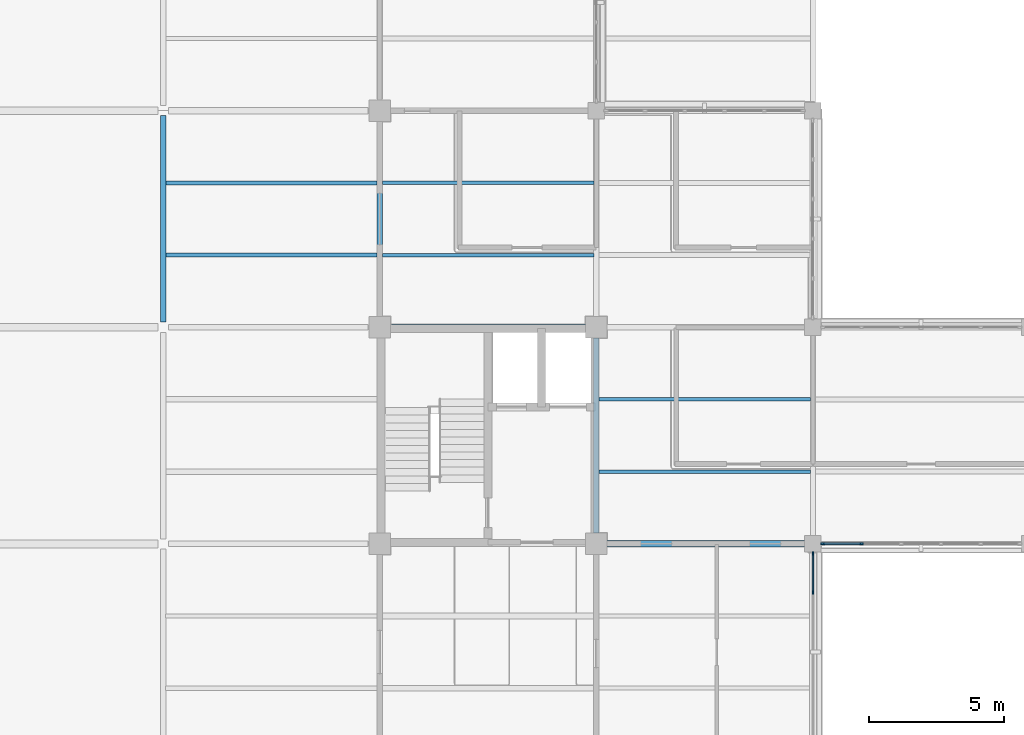
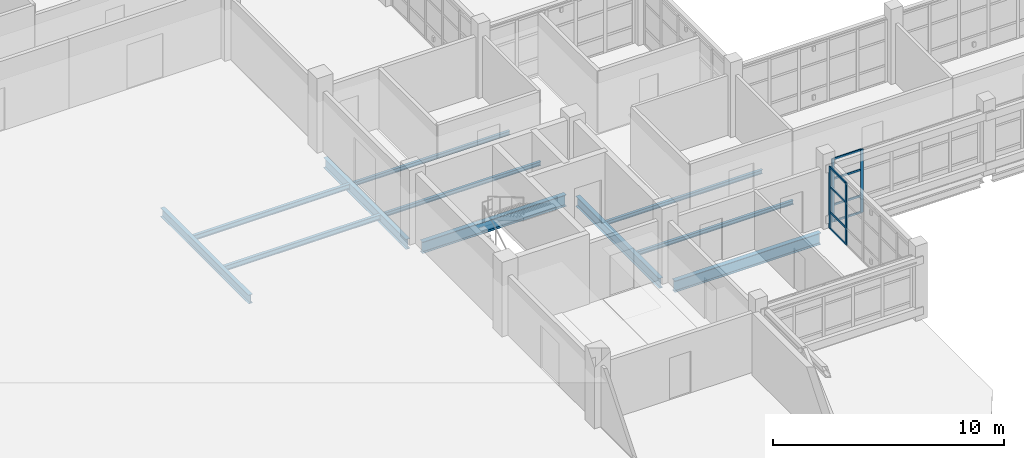
# One storey, part 29 of 126: 12 members, 11 beams, 2 elements without a shape of their own.
"""IFC4 building model written with IfcOpenShell, lengths in metres."""

import ifcopenshell
import ifcopenshell.guid

model = None  # the IFC model being written
_history = None  # IfcOwnerHistory: only IFC2X3 demands one
_inside = {}  # id of a spatial element -> (the spatial element, [elements in it])
_under = {}  # id of a project, library or spatial element -> (it, [spatial elements below it])
_declared = {}  # id of a project -> (the project, [libraries it declares])
_typed = {}  # id of a type object -> (the type object, [elements of that type])
_made_of = {}  # id of a material, layer set ... -> (it, [elements and type objects made of it])


def new_model(schema):
    """Start an empty IFC model of exactly this schema.

    Asked for "IFC4X3", IfcOpenShell would pick the latest addendum, in which some entities
    have other attributes; the version numbers below select the first issue.
    IFC2X3 requires an IfcOwnerHistory on every rooted entity: one is made here for all.
    """
    global model, _history
    if schema == "IFC4X3":
        model = ifcopenshell.file(schema_version=(4, 3, 0, 0))
    else:
        model = ifcopenshell.file(schema=schema)
    _inside.clear()
    _under.clear()
    _declared.clear()
    _typed.clear()
    _made_of.clear()
    _history = None
    if model.schema == "IFC2X3":
        org = make("IfcOrganization", Name="unknown")
        user = make(
            "IfcPersonAndOrganization",
            ThePerson=make("IfcPerson", FamilyName="unknown"),
            TheOrganization=org,
        )
        app = make(
            "IfcApplication",
            ApplicationDeveloper=org,
            Version="unknown",
            ApplicationFullName="unknown",
            ApplicationIdentifier="unknown",
        )
        _history = make(
            "IfcOwnerHistory",
            OwningUser=user,
            OwningApplication=app,
            ChangeAction="ADDED",
            CreationDate=0,
        )
    return model


def make(cls, **values):
    """One entity of the class cls with the attributes given. An attribute that is None is left unset."""
    return model.create_entity(
        cls, **{name: value for name, value in values.items() if value is not None}
    )


def rooted(cls, **values):
    """An entity with a GlobalId (a new one), such as an element, a storey or a relation."""
    return make(cls, GlobalId=ifcopenshell.guid.new(), OwnerHistory=_history, **values)


def si_unit(unit_type, name, prefix=None):
    """IfcSIUnit, for example si_unit("LENGTHUNIT", "METRE", prefix="MILLI")."""
    return make("IfcSIUnit", UnitType=unit_type, Prefix=prefix, Name=name)


def derived_unit(unit_type, elements):
    """IfcDerivedUnit: a product of units, each with its exponent."""
    return make(
        "IfcDerivedUnit",
        Elements=[
            make("IfcDerivedUnitElement", Unit=unit, Exponent=power)
            for unit, power in elements
        ],
        UnitType=unit_type,
    )


def assignment(units):
    """IfcUnitAssignment: the units of a project."""
    return None if units is None else make("IfcUnitAssignment", Units=units)


def point(xyz):
    """IfcCartesianPoint."""
    return None if xyz is None else make("IfcCartesianPoint", Coordinates=xyz)


def direction(xyz):
    """IfcDirection."""
    return None if xyz is None else make("IfcDirection", DirectionRatios=xyz)


def frame(location, z_axis=None, x_axis=None):
    """IfcAxis2Placement3D, a coordinate frame: its origin and axes. An axis left out is left unset."""
    return make(
        "IfcAxis2Placement3D",
        Location=point(location),
        Axis=direction(z_axis),
        RefDirection=direction(x_axis),
    )


def frame_2d(location, x_axis=None):
    """IfcAxis2Placement2D, a coordinate frame in the plane: its origin and x axis."""
    return make(
        "IfcAxis2Placement2D", Location=point(location), RefDirection=direction(x_axis)
    )


def origin():
    """The frame at (0, 0, 0) with its axes left unset."""
    return frame((0.0, 0.0, 0.0))


def origin_2d():
    """The frame at (0, 0) in the plane with its x axis left unset."""
    return frame_2d((0.0, 0.0))


def place(relative_to, where):
    """IfcLocalPlacement: puts the frame where relative to a parent placement (None: the world)."""
    return make(
        "IfcLocalPlacement", PlacementRelTo=relative_to, RelativePlacement=where
    )


def context(
    kind, dimensions, precision=None, world=None, true_north=None, identifier=None
):
    """IfcGeometricRepresentationContext, for example the 3D "Model" context."""
    return make(
        "IfcGeometricRepresentationContext",
        ContextIdentifier=identifier,
        ContextType=kind,
        CoordinateSpaceDimension=dimensions,
        Precision=precision,
        WorldCoordinateSystem=world,
        TrueNorth=true_north,
    )


def subcontext(parent, identifier, kind, view, scale=None):
    """IfcGeometricRepresentationSubContext, for example "Body" below "Model"."""
    return make(
        "IfcGeometricRepresentationSubContext",
        ContextIdentifier=identifier,
        ContextType=kind,
        ParentContext=parent,
        TargetScale=scale,
        TargetView=view,
    )


def project(units=None, contexts=None):
    """IfcProject with its units and contexts."""
    return rooted(
        "IfcProject",
        Name="project",
        RepresentationContexts=contexts,
        UnitsInContext=assignment(units),
    )


def spatial(cls, under=None, at=None, **own):
    """A site, building, storey or space (cls), placed at a placement, below another one or the project."""
    s = rooted(cls, ObjectPlacement=at, **own)
    if under is not None:
        _under.setdefault(under.id(), (under, []))[1].append(s)
    return s


def profile(cls, at=None, kind="AREA", **sizes):
    """A parametric profile (cls). Its sizes go by their IFC names, for example OverallWidth=200.0."""
    return make(cls, ProfileType=kind, Position=at, **sizes)


def rectangle(**sizes):
    """IfcRectangleProfileDef."""
    return profile("IfcRectangleProfileDef", **sizes)


def i_section(**sizes):
    """IfcIShapeProfileDef."""
    return profile("IfcIShapeProfileDef", **sizes)


def extrude(swept, where, along, depth):
    """IfcExtrudedAreaSolid: the profile swept, set in the frame where, extruded along a direction by depth."""
    return make(
        "IfcExtrudedAreaSolid",
        SweptArea=swept,
        Position=where,
        ExtrudedDirection=direction(along),
        Depth=depth,
    )


def shape(context_of_items, identifier, shape_type, items):
    """IfcShapeRepresentation: the items that make up one representation, for example the "Body"."""
    return make(
        "IfcShapeRepresentation",
        ContextOfItems=context_of_items,
        RepresentationIdentifier=identifier,
        RepresentationType=shape_type,
        Items=items,
    )


def material(Name=None, Category=None):
    """IfcMaterial."""
    return make("IfcMaterial", Name=Name, Category=Category)


def layer(
    of_material, thickness, ventilated=None, Name=None, Category=None, Priority=None
):
    """IfcMaterialLayer: one layer of a wall or slab, of a material (None: an air gap)."""
    return make(
        "IfcMaterialLayer",
        Material=of_material,
        LayerThickness=thickness,
        IsVentilated=ventilated,
        Name=Name,
        Category=Category,
        Priority=Priority,
    )


def layer_set(layers, Name=None):
    """IfcMaterialLayerSet."""
    return make("IfcMaterialLayerSet", MaterialLayers=layers, LayerSetName=Name)


def material_profile(
    of_material, cross_section, Name=None, Category=None, Priority=None
):
    """IfcMaterialProfile: a cross section and its material."""
    return make(
        "IfcMaterialProfile",
        Name=Name,
        Material=of_material,
        Profile=cross_section,
        Priority=Priority,
        Category=Category,
    )


def profile_set(profiles, Name=None, composite=None):
    """IfcMaterialProfileSet."""
    return make(
        "IfcMaterialProfileSet",
        Name=Name,
        MaterialProfiles=profiles,
        CompositeProfile=composite,
    )


def made_of(thing, what):
    """Note that an element or type object is made of a material, layer set ...; save() writes the relation."""
    if what is not None:
        _made_of.setdefault(what.id(), (what, []))[1].append(thing)
    return thing


def type_object(cls, material=None, **own):
    """A type object (cls), such as IfcWallType, which elements share."""
    return made_of(rooted(cls, **own), material)


def element(
    cls,
    number,
    at=None,
    inside=None,
    cuts=None,
    type_object=None,
    material=None,
    context=None,
    identifier="Body",
    shape_type=None,
    held_by="IfcProductDefinitionShape",
    body=None,
    shapes=None,
    **own,
):
    """One element of the class cls, such as IfcWall. Its Tag is "e" and its number.

    at: its placement. inside: the storey or other place that contains it. cuts: it is an
    opening in that element (IfcRelVoidsElement). A single representation is given by context,
    identifier, shape_type and body (its items); several are given by shapes. held_by: the class
    of the entity that holds the representations. save() writes the other relations.
    """
    e = rooted(cls, Tag="e%d" % number, ObjectPlacement=at, **own)
    if body is not None:
        shapes = [shape(context, identifier, shape_type, body)]
    if shapes is not None:
        e.Representation = make(held_by, Representations=shapes)
    if inside is not None:
        _inside.setdefault(inside.id(), (inside, []))[1].append(e)
    if cuts is not None:
        rooted(
            "IfcRelVoidsElement", RelatingBuildingElement=cuts, RelatedOpeningElement=e
        )
    if type_object is not None:
        _typed.setdefault(type_object.id(), (type_object, []))[1].append(e)
    return made_of(e, material)


def aggregate(whole, parts):
    """IfcRelAggregates: a whole, such as a stair, and the parts it consists of."""
    return rooted("IfcRelAggregates", RelatingObject=whole, RelatedObjects=parts)


def save(model, path):
    """Write the relations noted so far, then the file.

    IfcRelAggregates (storeys below a building ...), IfcRelContainedInSpatialStructure (elements
    in a storey), IfcRelDefinesByType, IfcRelAssociatesMaterial and IfcRelDeclares: one each for
    every whole, place, type object, material and project.
    """
    for whole, parts in _under.values():
        aggregate(whole, parts)
    for where, things in _inside.values():
        rooted(
            "IfcRelContainedInSpatialStructure",
            RelatedElements=things,
            RelatingStructure=where,
        )
    for kind, things in _typed.values():
        rooted("IfcRelDefinesByType", RelatedObjects=things, RelatingType=kind)
    for what, things in _made_of.values():
        rooted("IfcRelAssociatesMaterial", RelatedObjects=things, RelatingMaterial=what)
    for by, libraries in _declared.values():
        rooted("IfcRelDeclares", RelatingContext=by, RelatedDefinitions=libraries)
    model.write(path)


model = new_model("IFC4")

# Units and contexts
model_context = context("Model", 3, precision=1e-05, world=origin(), true_north=direction((0.0, 1.0)))
body_context = subcontext(model_context, "Body", "Model", "MODEL_VIEW")
ifc_project = project(units=[si_unit("LENGTHUNIT", "METRE"), si_unit("AREAUNIT", "SQUARE_METRE"), si_unit("VOLUMEUNIT", "CUBIC_METRE"), si_unit("PLANEANGLEUNIT", "RADIAN"), si_unit("MASSUNIT", "GRAM", prefix="KILO"), derived_unit("THERMALTRANSMITTANCEUNIT", [(si_unit("MASSUNIT", "GRAM", prefix="KILO"), 1), (si_unit("TIMEUNIT", "SECOND"), -3), (si_unit("THERMODYNAMICTEMPERATUREUNIT", "KELVIN"), -1)])], contexts=[model_context])

# Site, building, storey
site_placement = place(None, origin())
site = spatial("IfcSite", under=ifc_project, at=site_placement, CompositionType="ELEMENT")
building_placement = place(site_placement, origin())
building = spatial("IfcBuilding", under=site, at=building_placement, Name="Veyamyaing Civic Hall", CompositionType="ELEMENT")
storey_placement = place(building_placement, frame((0.0, 0.0, 9.89990234375)))
storey = spatial("IfcBuildingStorey", under=building, at=storey_placement, Name="L02", CompositionType="ELEMENT", Elevation=9.89990234375)

# Beams
ifc_material_1 = material(Name="Steel ASTM A992", Category="steel")
ifc_material_profile_1 = material_profile(ifc_material_1, i_section(OverallWidth=0.22802734375, OverallDepth=0.60791015625, WebThickness=0.01123046875, FlangeThickness=0.017333984375, FilletRadius=0.012939453125, at=origin_2d()), Name="W610X113")
ifc_profile_set_1 = profile_set([ifc_material_profile_1], Name="Steel ASTM A992")
beam_type_1 = type_object("IfcBeamType", Name="B-06", PredefinedType="BEAM", material=ifc_profile_set_1)
beam_1_placement = place(storey_placement, frame((112.39990234375, 48.0, -0.5888671875), z_axis=(1.0, 0.0, 0.0), x_axis=(0.0, 1.0, 0.0)))
element("IfcBeam", 1, at=beam_1_placement, inside=storey, type_object=beam_type_1, Name="Girder B-06 L02 Grid G 15-16", PredefinedType="BEAM", context=body_context, shape_type="SweptSolid", body=[
    extrude(i_section(OverallWidth=0.22802734375, OverallDepth=0.60791015625, WebThickness=0.01123046875, FlangeThickness=0.017333984375, FilletRadius=0.012939453125, at=origin_2d()), origin(), (0.0, 0.0, 1.0), 7.300048828125),
])
beam_2_placement = place(storey_placement, frame((104.425048828125, 56.0, -0.5888671875), z_axis=(1.0, 0.0, 0.0), x_axis=(0.0, 1.0, 0.0)))
element("IfcBeam", 2, at=beam_2_placement, inside=storey, type_object=beam_type_1, Name="Girder B-06 L02 Grid H 14-15", PredefinedType="BEAM", context=body_context, shape_type="SweptSolid", body=[
    extrude(i_section(OverallWidth=0.22802734375, OverallDepth=0.60791015625, WebThickness=0.01123046875, FlangeThickness=0.017333984375, FilletRadius=0.012939453125, at=origin_2d()), origin(), (0.0, 0.0, 1.0), 7.175048828125),
])
ifc_material_profile_2 = material_profile(ifc_material_1, i_section(OverallWidth=0.208984375, OverallDepth=0.532958984375, WebThickness=0.01025390625, FlangeThickness=0.015625, FilletRadius=0.011962890625, at=origin_2d()), Name="W530X92")
ifc_profile_set_2 = profile_set([ifc_material_profile_2], Name="Steel ASTM A992")
beam_type_2 = type_object("IfcBeamType", Name="B-07", PredefinedType="BEAM", material=ifc_profile_set_2)
beam_3_placement = place(storey_placement, frame((104.0, 56.425048828125, -0.551513671875), z_axis=(0.0, 1.0, 0.0), x_axis=(-1.0, 0.0, 0.0)))
element("IfcBeam", 3, at=beam_3_placement, inside=storey, type_object=beam_type_2, Name="Girder B-07 L02 Grid 14 H-J", PredefinedType="BEAM", context=body_context, shape_type="SweptSolid", body=[
    extrude(i_section(OverallWidth=0.208984375, OverallDepth=0.532958984375, WebThickness=0.01025390625, FlangeThickness=0.015625, FilletRadius=0.011962890625, at=origin_2d()), origin(), (0.0, 0.0, 1.0), 7.14990234375),
])
beam_4_placement = place(storey_placement, frame((112.0, 48.39990234375, -0.551513671875), z_axis=(0.0, 1.0, 0.0), x_axis=(-1.0, 0.0, 0.0)))
element("IfcBeam", 4, at=beam_4_placement, inside=storey, type_object=beam_type_2, Name="Girder B-07 L02 Grid 15 G-H", PredefinedType="BEAM", context=body_context, shape_type="SweptSolid", body=[
    extrude(i_section(OverallWidth=0.208984375, OverallDepth=0.532958984375, WebThickness=0.01025390625, FlangeThickness=0.015625, FilletRadius=0.011962890625, at=origin_2d()), origin(), (0.0, 0.0, 1.0), 7.2001953125),
])
ifc_material_profile_3 = material_profile(ifc_material_1, i_section(OverallWidth=0.194091796875, OverallDepth=0.468994140625, WebThickness=0.0126953125, FlangeThickness=0.0205078125, FilletRadius=0.010009765625, at=origin_2d()), Name="W460X106")
ifc_profile_set_3 = profile_set([ifc_material_profile_3], Name="Steel ASTM A992")
beam_type_3 = type_object("IfcBeamType", Name="B-18", PredefinedType="BEAM", material=ifc_profile_set_3)
beam_5_placement = place(storey_placement, frame((96.0, 56.18603515625, -0.519287109375), z_axis=(0.0, 1.0, 0.0), x_axis=(-1.0, 0.0, 0.0)))
element("IfcBeam", 5, at=beam_5_placement, inside=storey, type_object=beam_type_3, Name="Girder B-18 L02 Grid 13 H-J", PredefinedType="BEAM", context=body_context, shape_type="SweptSolid", body=[
    extrude(i_section(OverallWidth=0.194091796875, OverallDepth=0.468994140625, WebThickness=0.0126953125, FlangeThickness=0.0205078125, FilletRadius=0.010009765625, at=origin_2d()), origin(), (0.0, 0.0, 1.0), 7.6279296875),
])

# Curtain wall, members
ifc_material_2 = material(Name="Anodised aluminium 6063-T6", Category="aluminium")
ifc_layer = layer(ifc_material_2, 0.139892578125, Name="Anodised aluminium 6063-T6")
ifc_layer_set = layer_set([ifc_layer], Name="Anodised aluminium 6063-T6")
curtain_wall_type = type_object("IfcCurtainWallType", Name="CW-04", PredefinedType="NOTDEFINED", material=ifc_layer_set)
curtain_wall_1_placement = place(storey_placement, origin())
curtain_wall_1 = element("IfcCurtainWall", 6, at=curtain_wall_1_placement, inside=storey, type_object=curtain_wall_type, Name="Unitized curtain wall CW-04 L02 E 15.6", PredefinedType="NOTDEFINED")
ifc_material_profile_4 = material_profile(ifc_material_2, rectangle(XDim=0.06005859375, YDim=0.139892578125, at=origin_2d()), Name="ALU-MUL-60X140")
ifc_profile_set_4 = profile_set([ifc_material_profile_4], Name="Anodised aluminium 6063-T6")
member_type_1 = type_object("IfcMemberType", Name="CWM-03", PredefinedType="MULLION", material=ifc_profile_set_4)
member_1_placement = place(storey_placement, frame((120.0, 46.201904296875, 0.0), z_axis=(0.0, 0.0, 1.0), x_axis=(-1.0, 0.0, 0.0)))
member_1 = element("IfcMember", 7, at=member_1_placement, type_object=member_type_1, Name="CW-04 mullion 5", PredefinedType="MULLION", context=body_context, shape_type="SweptSolid", body=[
    extrude(rectangle(XDim=0.06005859375, YDim=0.139892578125, at=origin_2d()), origin(), (0.0, 0.0, 1.0), 3.2841796875),
])
member_2_placement = place(storey_placement, frame((120.0, 47.639892578125, 0.0), z_axis=(0.0, 0.0, 1.0), x_axis=(-1.0, 0.0, 0.0)))
member_2 = element("IfcMember", 8, at=member_2_placement, type_object=member_type_1, Name="CW-04 mullion 6", PredefinedType="MULLION", context=body_context, shape_type="SweptSolid", body=[
    extrude(rectangle(XDim=0.06005859375, YDim=0.139892578125, at=origin_2d()), origin(), (0.0, 0.0, 1.0), 3.2841796875),
])

curtain_wall_2_placement = place(storey_placement, origin())
curtain_wall_2 = element("IfcCurtainWall", 9, at=curtain_wall_2_placement, inside=storey, type_object=curtain_wall_type, Name="Unitized curtain wall CW-04 L02 S 16.7", PredefinedType="NOTDEFINED")
member_3_placement = place(storey_placement, frame((120.360107421875, 48.0, 0.0), z_axis=(0.0, 0.0, 1.0), x_axis=(0.0, 1.0, 0.0)))
member_3 = element("IfcMember", 10, at=member_3_placement, type_object=member_type_1, Name="CW-04 mullion 1", PredefinedType="MULLION", context=body_context, shape_type="SweptSolid", body=[
    extrude(rectangle(XDim=0.06005859375, YDim=0.139892578125, at=origin_2d()), origin(), (0.0, 0.0, 1.0), 3.34716796875),
])
member_4_placement = place(storey_placement, frame((121.798095703125, 48.0, 0.0), z_axis=(0.0, 0.0, 1.0), x_axis=(0.0, 1.0, 0.0)))
member_4 = element("IfcMember", 11, at=member_4_placement, type_object=member_type_1, Name="CW-04 mullion 2", PredefinedType="MULLION", context=body_context, shape_type="SweptSolid", body=[
    extrude(rectangle(XDim=0.06005859375, YDim=0.139892578125, at=origin_2d()), origin(), (0.0, 0.0, 1.0), 3.34716796875),
])

# Member
ifc_material_profile_5 = material_profile(ifc_material_2, rectangle(XDim=0.06005859375, YDim=0.10009765625, at=origin_2d()), Name="ALU-TRN-60X100")
ifc_profile_set_5 = profile_set([ifc_material_profile_5], Name="Anodised aluminium 6063-T6")
member_type_2 = type_object("IfcMemberType", Name="CWT-03", PredefinedType="USERDEFINED", material=ifc_profile_set_5)
member_5_placement = place(storey_placement, frame((120.0, 46.23193359375, 0.030029296875), z_axis=(0.0, 1.0, 0.0), x_axis=(-1.0, 0.0, 0.0)))
member_5 = element("IfcMember", 12, at=member_5_placement, type_object=member_type_2, Name="CW-04 transom 5.1", ObjectType="TRANSOM", PredefinedType="USERDEFINED", context=body_context, shape_type="SweptSolid", body=[
    extrude(rectangle(XDim=0.06005859375, YDim=0.10009765625, at=origin_2d()), origin(), (0.0, 0.0, 1.0), 1.378173828125),
])

member_6_placement = place(storey_placement, frame((120.0, 46.23193359375, 0.900146484375), z_axis=(0.0, 1.0, 0.0), x_axis=(-1.0, 0.0, 0.0)))
member_6 = element("IfcMember", 13, at=member_6_placement, type_object=member_type_2, Name="CW-04 transom 5.2", ObjectType="TRANSOM", PredefinedType="USERDEFINED", context=body_context, shape_type="SweptSolid", body=[
    extrude(rectangle(XDim=0.06005859375, YDim=0.10009765625, at=origin_2d()), origin(), (0.0, 0.0, 1.0), 1.378173828125),
])

member_7_placement = place(storey_placement, frame((120.0, 46.23193359375, 2.233154296875), z_axis=(0.0, 1.0, 0.0), x_axis=(-1.0, 0.0, 0.0)))
member_7 = element("IfcMember", 14, at=member_7_placement, type_object=member_type_2, Name="CW-04 transom 5.3", ObjectType="TRANSOM", PredefinedType="USERDEFINED", context=body_context, shape_type="SweptSolid", body=[
    extrude(rectangle(XDim=0.06005859375, YDim=0.10009765625, at=origin_2d()), origin(), (0.0, 0.0, 1.0), 1.378173828125),
])

member_8_placement = place(storey_placement, frame((120.0, 46.23193359375, 3.254150390625), z_axis=(0.0, 1.0, 0.0), x_axis=(-1.0, 0.0, 0.0)))
member_8 = element("IfcMember", 15, at=member_8_placement, type_object=member_type_2, Name="CW-04 transom 5.4", ObjectType="TRANSOM", PredefinedType="USERDEFINED", context=body_context, shape_type="SweptSolid", body=[
    extrude(rectangle(XDim=0.06005859375, YDim=0.10009765625, at=origin_2d()), origin(), (0.0, 0.0, 1.0), 1.378173828125),
])

aggregate(curtain_wall_1, [member_1, member_2, member_5, member_6, member_7, member_8])

member_9_placement = place(storey_placement, frame((120.389892578125, 48.0, 0.030029296875), z_axis=(1.0, 0.0, 0.0), x_axis=(0.0, 1.0, 0.0)))
member_9 = element("IfcMember", 16, at=member_9_placement, type_object=member_type_2, Name="CW-04 transom 1.1", ObjectType="TRANSOM", PredefinedType="USERDEFINED", context=body_context, shape_type="SweptSolid", body=[
    extrude(rectangle(XDim=0.06005859375, YDim=0.10009765625, at=origin_2d()), origin(), (0.0, 0.0, 1.0), 1.378173828125),
])

member_10_placement = place(storey_placement, frame((120.389892578125, 48.0, 0.900146484375), z_axis=(1.0, 0.0, 0.0), x_axis=(0.0, 1.0, 0.0)))
member_10 = element("IfcMember", 17, at=member_10_placement, type_object=member_type_2, Name="CW-04 transom 1.2", ObjectType="TRANSOM", PredefinedType="USERDEFINED", context=body_context, shape_type="SweptSolid", body=[
    extrude(rectangle(XDim=0.06005859375, YDim=0.10009765625, at=origin_2d()), origin(), (0.0, 0.0, 1.0), 1.378173828125),
])

member_11_placement = place(storey_placement, frame((120.389892578125, 48.0, 2.276123046875), z_axis=(1.0, 0.0, 0.0), x_axis=(0.0, 1.0, 0.0)))
member_11 = element("IfcMember", 18, at=member_11_placement, type_object=member_type_2, Name="CW-04 transom 1.3", ObjectType="TRANSOM", PredefinedType="USERDEFINED", context=body_context, shape_type="SweptSolid", body=[
    extrude(rectangle(XDim=0.06005859375, YDim=0.10009765625, at=origin_2d()), origin(), (0.0, 0.0, 1.0), 1.378173828125),
])

member_12_placement = place(storey_placement, frame((120.389892578125, 48.0, 3.317138671875), z_axis=(1.0, 0.0, 0.0), x_axis=(0.0, 1.0, 0.0)))
member_12 = element("IfcMember", 19, at=member_12_placement, type_object=member_type_2, Name="CW-04 transom 1.4", ObjectType="TRANSOM", PredefinedType="USERDEFINED", context=body_context, shape_type="SweptSolid", body=[
    extrude(rectangle(XDim=0.06005859375, YDim=0.10009765625, at=origin_2d()), origin(), (0.0, 0.0, 1.0), 1.378173828125),
])

aggregate(curtain_wall_2, [member_3, member_4, member_9, member_10, member_11, member_12])

# Beams
ifc_material_profile_6 = material_profile(ifc_material_1, i_section(OverallWidth=0.14794921875, OverallDepth=0.26611328125, WebThickness=0.007568359375, FlangeThickness=0.012939453125, FilletRadius=0.010009765625, at=origin_2d()), Name="W250X45")
ifc_profile_set_6 = profile_set([ifc_material_profile_6], Name="Steel ASTM A992")
beam_type_4 = type_object("IfcBeamType", Name="J-07", PredefinedType="JOIST", material=ifc_profile_set_6)
for number, where, z_axis, x_axis, name in (
    (20, (96.094970703125, 58.666748046875, -0.41796875), (1.0, 0.0, 0.0), (0.0, 1.0, 0.0), "Composite floor joist J-07 L02 13.8.1"),
    (21, (96.094970703125, 61.333251953125, -0.41796875), (1.0, 0.0, 0.0), (0.0, 1.0, 0.0), "Composite floor joist J-07 L02 13.8.2"),
):
    element("IfcBeam", number, at=place(storey_placement, frame(where, z_axis=z_axis, x_axis=x_axis)), inside=storey, type_object=beam_type_4, Name=name, PredefinedType="JOIST", context=body_context, shape_type="SweptSolid", body=[
        extrude(i_section(OverallWidth=0.14794921875, OverallDepth=0.26611328125, WebThickness=0.007568359375, FlangeThickness=0.012939453125, FilletRadius=0.010009765625, at=origin_2d()), origin(), (0.0, 0.0, 1.0), 7.802490234375),
    ])
ifc_material_profile_7 = material_profile(ifc_material_1, i_section(OverallWidth=0.133056640625, OverallDepth=0.20703125, WebThickness=0.005859375, FlangeThickness=0.00830078125, FilletRadius=0.010009765625, at=origin_2d()), Name="W200X27")
ifc_profile_set_7 = profile_set([ifc_material_profile_7], Name="Steel ASTM A992")
beam_type_5 = type_object("IfcBeamType", Name="J-08", PredefinedType="JOIST", material=ifc_profile_set_7)
for number, where, z_axis, x_axis, name in (
    (22, (104.1025390625, 58.666748046875, -0.388427734375), (1.0, 0.0, 0.0), (0.0, 1.0, 0.0), "Composite floor joist J-08 L02 14.8.1"),
    (23, (104.1025390625, 61.333251953125, -0.388427734375), (1.0, 0.0, 0.0), (0.0, 1.0, 0.0), "Composite floor joist J-08 L02 14.8.2"),
    (24, (112.1025390625, 50.666748046875, -0.388427734375), (1.0, 0.0, 0.0), (0.0, 1.0, 0.0), "Composite floor joist J-08 L02 15.7.1"),
    (25, (112.1025390625, 53.333251953125, -0.388427734375), (1.0, 0.0, 0.0), (0.0, 1.0, 0.0), "Composite floor joist J-08 L02 15.7.2"),
):
    element("IfcBeam", number, at=place(storey_placement, frame(where, z_axis=z_axis, x_axis=x_axis)), inside=storey, type_object=beam_type_5, Name=name, PredefinedType="JOIST", context=body_context, shape_type="SweptSolid", body=[
        extrude(i_section(OverallWidth=0.133056640625, OverallDepth=0.20703125, WebThickness=0.005859375, FlangeThickness=0.00830078125, FilletRadius=0.010009765625, at=origin_2d()), origin(), (0.0, 0.0, 1.0), 7.803466796875),
    ])

save(model, "model.ifc")
